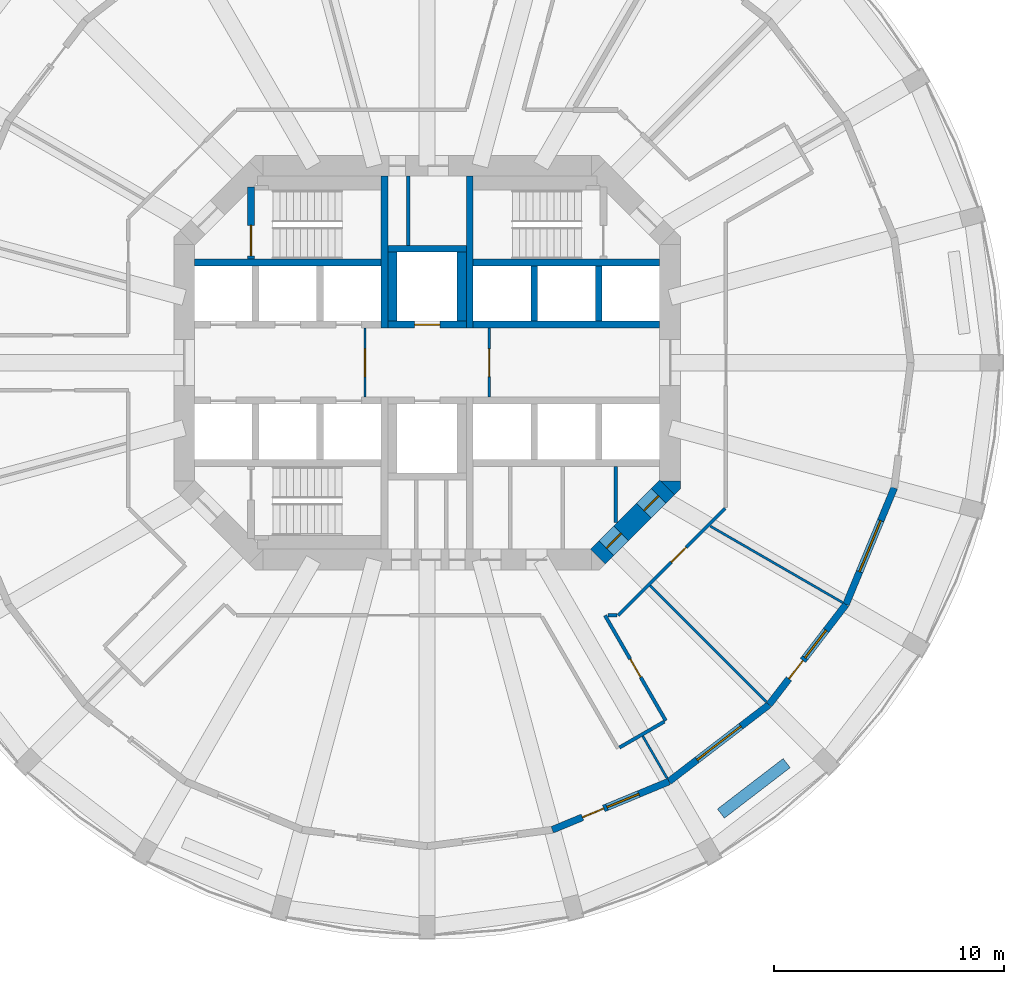
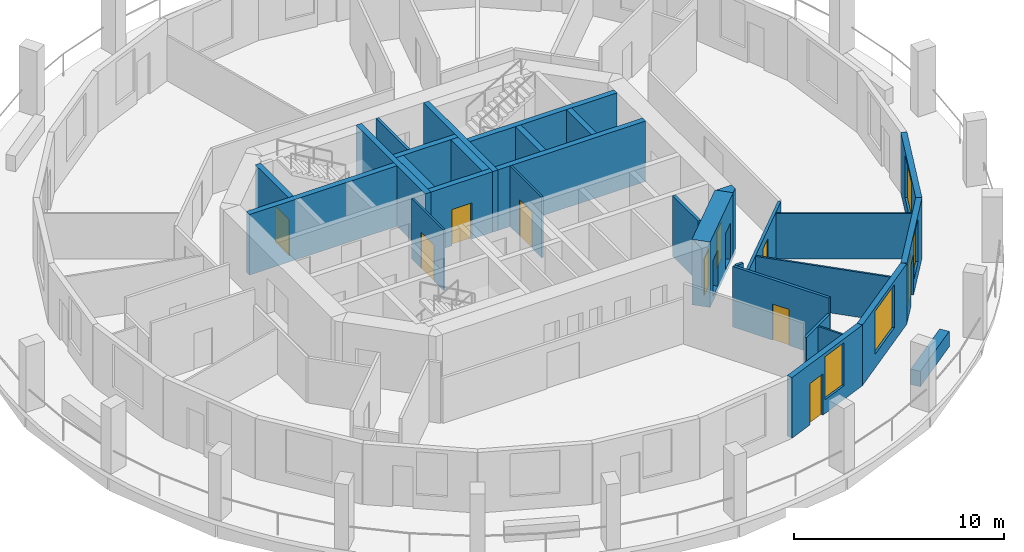
# One storey, part 4 of 8: 30 walls, 10 doors, 4 windows, 14 openings.
"""IFC4 building model written with IfcOpenShell, lengths in metres."""

from ifc_helpers import new_model, si_unit, direction, frame, frame_2d, origin, place, context, subcontext, project, spatial, polyline, rectangle, outline, extrude, material, layer, layer_set, type_object, element, fill, save


model = new_model("IFC4")

# Units and contexts
model_context = context("Model", 3, precision=1e-05, world=origin(), true_north=direction((0.0, 1.0)))
body_context = subcontext(model_context, "Body", "Model", "MODEL_VIEW")
ifc_project = project(units=[si_unit("LENGTHUNIT", "METRE"), si_unit("AREAUNIT", "SQUARE_METRE"), si_unit("VOLUMEUNIT", "CUBIC_METRE"), si_unit("PLANEANGLEUNIT", "RADIAN"), si_unit("MASSUNIT", "GRAM", prefix="KILO")], contexts=[model_context])

# Site, building, storey
site_placement = place(None, origin())
site = spatial("IfcSite", under=ifc_project, at=site_placement, CompositionType="ELEMENT")
building_placement = place(site_placement, origin())
building = spatial("IfcBuilding", under=site, at=building_placement, Name="Torre Triforio", CompositionType="ELEMENT")
storey_placement = place(building_placement, frame((0.0, 0.0, 142.800048828125)))
storey = spatial("IfcBuildingStorey", under=building, at=storey_placement, Name="L32", CompositionType="ELEMENT", Elevation=142.800048828125)

# Walls
ifc_material_1 = material(Name="Concrete C60", Category="concrete")
ifc_layer_1 = layer(ifc_material_1, 0.300048828125)
ifc_layer_set_1 = layer_set([ifc_layer_1], Name="Concrete C60")
wall_type_1 = type_object("IfcWallType", Name="Core wall 300 mm C60 EI 120", PredefinedType="SHEAR", material=ifc_layer_set_1)
for number, where, z_axis, x_axis, name in (
    (1, (-1.85009765625, 1.5, 0.0), (0.0, 0.0, 1.0), (0.0, 1.0, 0.0), "Core wall"),
    (2, (1.85009765625, 1.5, 0.0), (0.0, 0.0, 1.0), (0.0, 1.0, 0.0), "Core wall"),
):
    element("IfcWall", number, at=place(storey_placement, frame(where, z_axis=z_axis, x_axis=x_axis)), inside=storey, type_object=wall_type_1, Name=name, PredefinedType="SHEAR", context=body_context, shape_type="SweptSolid", body=[
        extrude(rectangle(XDim=6.60009765625, YDim=0.300048828125, at=frame_2d((3.300048828125, 0.0))), origin(), (0.0, 0.0, 1.0), 3.52001953125),
    ])

# Wall, openings, doors
ifc_layer_2 = layer(ifc_material_1, 0.89990234375)
ifc_layer_set_2 = layer_set([ifc_layer_2], Name="Concrete C60")
wall_type_2 = type_object("IfcWallType", Name="Core wall 900 mm C60 EI 120", PredefinedType="SHEAR", material=ifc_layer_set_2)
wall_1_placement = place(storey_placement, frame((10.418212890625, -5.418212890625, -0.280029296875), z_axis=(0.0, 0.0, 1.0), x_axis=(-0.707106781187, -0.707106781187, 0.0)))
wall_1 = element("IfcWall", 3, at=wall_1_placement, inside=storey, type_object=wall_type_2, Name="Core wall", PredefinedType="SHEAR", context=body_context, shape_type="SweptSolid", body=[
    extrude(rectangle(XDim=4.24267578125, YDim=0.89990234375, at=frame_2d((2.121337890625, 0.0))), origin(), (0.0, 0.0, 1.0), 3.800048828125),
])
opening_1_placement = place(wall_1_placement, frame((2.82275390625, 0.0, 0.280029296875)))
opening_1 = element("IfcOpeningElement", 4, at=opening_1_placement, cuts=wall_1, Name="Opening SE-03", PredefinedType="OPENING", context=body_context, shape_type="SweptSolid", body=[
    extrude(rectangle(XDim=0.89990234375, YDim=2.10009765625, at=frame_2d((0.449951171875, 1.050048828125))), frame((0.0, 0.4599609375, 0.0), z_axis=(0.0, -1.0, 0.0), x_axis=(1.0, 0.0, 0.0)), (0.0, 0.0, 1.0), 0.919921875),
])
opening_2_placement = place(wall_1_placement, frame((0.52001953125, 0.0, 0.280029296875)))
opening_2 = element("IfcOpeningElement", 5, at=opening_2_placement, cuts=wall_1, Name="Opening SE-04", PredefinedType="OPENING", context=body_context, shape_type="SweptSolid", body=[
    extrude(rectangle(XDim=0.89990234375, YDim=2.10009765625, at=frame_2d((0.449951171875, 1.050048828125))), frame((0.0, 0.4599609375, 0.0), z_axis=(0.0, -1.0, 0.0), x_axis=(1.0, 0.0, 0.0)), (0.0, 0.0, 1.0), 0.919921875),
])
ifc_material_2 = material(Name="Hollow metal fire door leaf")
door_type_1 = type_object("IfcDoorType", Name="Room door 900 x 2100 EI 60", OperationType="NOTDEFINED", PredefinedType="DOOR", material=ifc_material_2)
door_1_placement = place(opening_1_placement, origin())
door_1 = element("IfcDoor", 6, at=door_1_placement, inside=storey, type_object=door_type_1, Name="Core door SE-03", OperationType="SINGLE_SWING_RIGHT", OverallHeight=2.10009765625, OverallWidth=0.89990234375, PredefinedType="DOOR", context=body_context, shape_type="SweptSolid", body=[
    extrude(rectangle(XDim=0.89990234375, YDim=2.10009765625, at=frame_2d((0.449951171875, 1.050048828125))), frame((0.0, 0.02490234375, 0.0), z_axis=(0.0, -1.0, 0.0), x_axis=(1.0, 0.0, 0.0)), (0.0, 0.0, 1.0), 0.050048828125),
])
fill(opening_1, door_1)
door_2_placement = place(opening_2_placement, origin())
door_2 = element("IfcDoor", 7, at=door_2_placement, inside=storey, type_object=door_type_1, Name="Core door SE-04", OperationType="SINGLE_SWING_LEFT", OverallHeight=2.10009765625, OverallWidth=0.89990234375, PredefinedType="DOOR", context=body_context, shape_type="SweptSolid", body=[
    extrude(rectangle(XDim=0.89990234375, YDim=2.10009765625, at=frame_2d((0.449951171875, 1.050048828125))), frame((0.0, 0.02490234375, 0.0), z_axis=(0.0, -1.0, 0.0), x_axis=(1.0, 0.0, 0.0)), (0.0, 0.0, 1.0), 0.050048828125),
])
fill(opening_2, door_2)

# Wall
wall_2_placement = place(storey_placement, frame((0.0, 0.0, -0.280029296875)))
element("IfcWall", 8, at=wall_2_placement, inside=storey, type_object=wall_type_2, Name="Core wall", PredefinedType="SHEAR", context=body_context, shape_type="SweptSolid", body=[
    extrude(outline(polyline([(11.0, -5.472900390625), (10.736328125, -5.736328125), (10.1298828125, -5.1298828125), (11.0, -5.1298828125), (11.0, -5.472900390625)])), origin(), (0.0, 0.0, 1.0), 3.800048828125),
])

# Wall, opening, door
ifc_material_3 = material(Name="Plasterboard on metal studs")
ifc_layer_3 = layer(ifc_material_3, 0.14990234375)
ifc_layer_set_3 = layer_set([ifc_layer_3], Name="Plasterboard on metal studs")
wall_type_3 = type_object("IfcWallType", Name="Corridor and tenancy wall 150 mm EI 60", PredefinedType="PARTITIONING", material=ifc_layer_set_3)
wall_3_placement = place(storey_placement, frame((12.93798828125, -6.327880859375, 0.0), z_axis=(0.0, 0.0, 1.0), x_axis=(-0.707088206597, -0.707125355289, 0.0)))
wall_3 = element("IfcWall", 9, at=wall_3_placement, inside=storey, type_object=wall_type_3, Name="Partition 21", PredefinedType="PARTITIONING", context=body_context, shape_type="SweptSolid", body=[
    extrude(rectangle(XDim=6.572021484375, YDim=0.14990234375, at=frame_2d((3.2861328125, 0.0))), origin(), (0.0, 0.0, 1.0), 2.619873046875),
])
opening_3_placement = place(wall_3_placement, frame((2.39794921875, 0.0, 0.0)))
opening_3 = element("IfcOpeningElement", 10, at=opening_3_placement, cuts=wall_3, Name="Opening D3-08", PredefinedType="OPENING", context=body_context, shape_type="SweptSolid", body=[
    extrude(rectangle(XDim=0.89990234375, YDim=2.10009765625, at=frame_2d((0.449951171875, 1.050048828125))), frame((0.0, 0.0849609375, 0.0), z_axis=(0.0, -1.0, 0.0), x_axis=(1.0, 0.0, 0.0)), (0.0, 0.0, 1.0), 0.169921875),
])
ifc_material_4 = material(Name="Timber", Category="wood")
door_type_2 = type_object("IfcDoorType", Name="Door 900 x 2100 single leaf EI 30", OperationType="NOTDEFINED", PredefinedType="DOOR", material=ifc_material_4)
door_3_placement = place(opening_3_placement, origin())
door_3 = element("IfcDoor", 11, at=door_3_placement, inside=storey, type_object=door_type_2, Name="Door D3-08", OperationType="SINGLE_SWING_LEFT", OverallHeight=2.10009765625, OverallWidth=0.89990234375, PredefinedType="DOOR", context=body_context, shape_type="SweptSolid", body=[
    extrude(rectangle(XDim=0.89990234375, YDim=2.10009765625, at=frame_2d((0.449951171875, 1.050048828125))), frame((0.0, 0.02490234375, 0.0), z_axis=(0.0, -1.0, 0.0), x_axis=(1.0, 0.0, 0.0)), (0.0, 0.0, 1.0), 0.050048828125),
])
fill(opening_3, door_3)

# Wall
wall_4_placement = place(storey_placement, frame((8.23828125, -10.97509765625, 0.0), z_axis=(0.0, 0.0, 1.0), x_axis=(-1.0, 0.0, 0.0)))
element("IfcWall", 12, at=wall_4_placement, inside=storey, type_object=wall_type_3, Name="Partition 22", PredefinedType="PARTITIONING", context=body_context, shape_type="SweptSolid", body=[
    extrude(rectangle(XDim=0.38623046875, YDim=0.14990234375, at=frame_2d((0.193115234375, 0.0))), origin(), (0.0, 0.0, 1.0), 3.52001953125),
])

# Wall, opening, door
wall_5_placement = place(storey_placement, frame((7.72216796875, -10.97509765625, 0.0), z_axis=(0.0, 0.0, 1.0), x_axis=(0.499981143329, -0.866036290415, 0.0)))
wall_5 = element("IfcWall", 13, at=wall_5_placement, inside=storey, type_object=wall_type_3, Name="Partition 23", PredefinedType="PARTITIONING", context=body_context, shape_type="SweptSolid", body=[
    extrude(rectangle(XDim=5.282958984375, YDim=0.14990234375, at=frame_2d((2.6416015625, 0.0))), origin(), (0.0, 0.0, 1.0), 3.52001953125),
])
opening_4_placement = place(wall_5_placement, frame((2.19140625, 0.0, 0.0)))
opening_4 = element("IfcOpeningElement", 14, at=opening_4_placement, cuts=wall_5, Name="Opening D3-07", PredefinedType="OPENING", context=body_context, shape_type="SweptSolid", body=[
    extrude(rectangle(XDim=0.89990234375, YDim=2.10009765625, at=frame_2d((0.449951171875, 1.050048828125))), frame((0.0, 0.0849609375, 0.0), z_axis=(0.0, -1.0, 0.0), x_axis=(1.0, 0.0, 0.0)), (0.0, 0.0, 1.0), 0.169921875),
])
door_4_placement = place(opening_4_placement, origin())
door_4 = element("IfcDoor", 15, at=door_4_placement, inside=storey, type_object=door_type_2, Name="Door D3-07", OperationType="SINGLE_SWING_LEFT", OverallHeight=2.10009765625, OverallWidth=0.89990234375, PredefinedType="DOOR", context=body_context, shape_type="SweptSolid", body=[
    extrude(rectangle(XDim=0.89990234375, YDim=2.10009765625, at=frame_2d((0.449951171875, 1.050048828125))), frame((0.0, 0.02490234375, 0.0), z_axis=(0.0, -1.0, 0.0), x_axis=(1.0, 0.0, 0.0)), (0.0, 0.0, 1.0), 0.050048828125),
])
fill(opening_4, door_4)

# Wall
wall_6_placement = place(storey_placement, frame((10.298583984375, -15.587890625, 0.0), z_axis=(0.0, 0.0, 1.0), x_axis=(-0.866017533419, -0.500013631625, 0.0)))
element("IfcWall", 16, at=wall_6_placement, inside=storey, type_object=wall_type_3, Name="Partition 24", PredefinedType="PARTITIONING", context=body_context, shape_type="SweptSolid", body=[
    extrude(rectangle(XDim=2.25, YDim=0.14990234375, at=frame_2d((1.125, 0.0))), origin(), (0.0, 0.0, 1.0), 2.619873046875),
])

# Wall, opening, door
ifc_material_5 = material(Name="Block and board partition")
ifc_layer_4 = layer(ifc_material_5, 0.10009765625)
ifc_layer_set_4 = layer_set([ifc_layer_4], Name="Block and board partition")
wall_type_4 = type_object("IfcWallType", Name="Partition 100 mm EI 120", PredefinedType="PARTITIONING", material=ifc_layer_set_4)
wall_7_placement = place(storey_placement, frame((-2.699951171875, -1.5, 0.0), z_axis=(0.0, 0.0, 1.0), x_axis=(0.0, 1.0, 0.0)))
wall_7 = element("IfcWall", 17, at=wall_7_placement, inside=storey, type_object=wall_type_4, Name="Partition", PredefinedType="PARTITIONING", context=body_context, shape_type="SweptSolid", body=[
    extrude(rectangle(XDim=3.0, YDim=0.10009765625, at=frame_2d((1.5, 0.0))), origin(), (0.0, 0.0, 1.0), 3.52001953125),
])
opening_5_placement = place(wall_7_placement, frame((0.89990234375, 0.0, 0.0)))
opening_5 = element("IfcOpeningElement", 18, at=opening_5_placement, cuts=wall_7, Name="Opening FF-W", PredefinedType="OPENING", context=body_context, shape_type="SweptSolid", body=[
    extrude(rectangle(XDim=1.199951171875, YDim=2.10009765625, at=frame_2d((0.60009765625, 1.050048828125))), frame((0.0, 0.06005859375, 0.0), z_axis=(0.0, -1.0, 0.0), x_axis=(1.0, 0.0, 0.0)), (0.0, 0.0, 1.0), 0.1201171875),
])
door_type_3 = type_object("IfcDoorType", Name="Fire-fighting lobby door 1200 x 2100 EI 60", OperationType="NOTDEFINED", PredefinedType="DOOR", material=ifc_material_2)
door_5_placement = place(opening_5_placement, origin())
door_5 = element("IfcDoor", 19, at=door_5_placement, inside=storey, type_object=door_type_3, Name="Core door FF-W", OperationType="SINGLE_SWING_LEFT", OverallHeight=2.10009765625, OverallWidth=1.199951171875, PredefinedType="DOOR", context=body_context, shape_type="SweptSolid", body=[
    extrude(rectangle(XDim=1.199951171875, YDim=2.10009765625, at=frame_2d((0.60009765625, 1.050048828125))), frame((0.0, 0.02490234375, 0.0), z_axis=(0.0, -1.0, 0.0), x_axis=(1.0, 0.0, 0.0)), (0.0, 0.0, 1.0), 0.050048828125),
])
fill(opening_5, door_5)

wall_8_placement = place(storey_placement, frame((2.699951171875, -1.5, 0.0), z_axis=(0.0, 0.0, 1.0), x_axis=(0.0, 1.0, 0.0)))
wall_8 = element("IfcWall", 20, at=wall_8_placement, inside=storey, type_object=wall_type_4, Name="Partition", PredefinedType="PARTITIONING", context=body_context, shape_type="SweptSolid", body=[
    extrude(rectangle(XDim=3.0, YDim=0.10009765625, at=frame_2d((1.5, 0.0))), origin(), (0.0, 0.0, 1.0), 3.52001953125),
])
opening_6_placement = place(wall_8_placement, frame((0.89990234375, 0.0, 0.0)))
opening_6 = element("IfcOpeningElement", 21, at=opening_6_placement, cuts=wall_8, Name="Opening FF-E", PredefinedType="OPENING", context=body_context, shape_type="SweptSolid", body=[
    extrude(rectangle(XDim=1.199951171875, YDim=2.10009765625, at=frame_2d((0.60009765625, 1.050048828125))), frame((0.0, 0.06005859375, 0.0), z_axis=(0.0, -1.0, 0.0), x_axis=(1.0, 0.0, 0.0)), (0.0, 0.0, 1.0), 0.1201171875),
])
door_6_placement = place(opening_6_placement, origin())
door_6 = element("IfcDoor", 22, at=door_6_placement, inside=storey, type_object=door_type_3, Name="Core door FF-E", OperationType="SINGLE_SWING_LEFT", OverallHeight=2.10009765625, OverallWidth=1.199951171875, PredefinedType="DOOR", context=body_context, shape_type="SweptSolid", body=[
    extrude(rectangle(XDim=1.199951171875, YDim=2.10009765625, at=frame_2d((0.60009765625, 1.050048828125))), frame((0.0, 0.02490234375, 0.0), z_axis=(0.0, -1.0, 0.0), x_axis=(1.0, 0.0, 0.0)), (0.0, 0.0, 1.0), 0.050048828125),
])
fill(opening_6, door_6)

# Walls
ifc_layer_5 = layer(ifc_material_3, 0.10009765625)
ifc_layer_set_5 = layer_set([ifc_layer_5], Name="Plasterboard on metal studs")
wall_type_5 = type_object("IfcWallType", Name="Partition 100 mm board on metal studs", PredefinedType="PARTITIONING", material=ifc_layer_set_5)
wall_9_placement = place(storey_placement, frame((9.36181640625, -16.215087890625, 0.0), z_axis=(0.0, 0.0, 1.0), x_axis=(0.500015802937, -0.866016279763, 0.0)))
element("IfcWall", 23, at=wall_9_placement, inside=storey, type_object=wall_type_5, Name="Partition 40", PredefinedType="PARTITIONING", context=body_context, shape_type="SweptSolid", body=[
    extrude(rectangle(XDim=2.11328125, YDim=0.10009765625, at=frame_2d((1.056640625, 0.0))), origin(), (0.0, 0.0, 1.0), 2.619873046875),
])
wall_10_placement = place(storey_placement, frame((9.68603515625, -9.68603515625, 0.0), z_axis=(0.0, 0.0, 1.0), x_axis=(0.707106781187, -0.707106781187, 0.0)))
element("IfcWall", 24, at=wall_10_placement, inside=storey, type_object=wall_type_5, Name="Partition 41", PredefinedType="PARTITIONING", context=body_context, shape_type="SweptSolid", body=[
    extrude(rectangle(XDim=7.138671875, YDim=0.10009765625, at=frame_2d((3.5693359375, 0.0))), origin(), (0.0, 0.0, 1.0), 2.619873046875),
])
wall_11_placement = place(storey_placement, frame((12.294189453125, -7.097900390625, 0.0), z_axis=(0.0, 0.0, 1.0), x_axis=(0.866010486135, -0.500025837236, 0.0)))
element("IfcWall", 25, at=wall_11_placement, inside=storey, type_object=wall_type_5, Name="Partition 42", PredefinedType="PARTITIONING", context=body_context, shape_type="SweptSolid", body=[
    extrude(rectangle(XDim=6.640869140625, YDim=0.10009765625, at=frame_2d((3.3203125, 0.0))), origin(), (0.0, 0.0, 1.0), 2.619873046875),
])
ifc_layer_6 = layer(ifc_material_5, 0.14990234375)
ifc_layer_set_6 = layer_set([ifc_layer_6], Name="Block and board partition")
wall_type_6 = type_object("IfcWallType", Name="Partition 150 mm", PredefinedType="PARTITIONING", material=ifc_layer_set_6)
wall_12_placement = place(storey_placement, frame((8.18896484375, -6.93603515625, 0.0), z_axis=(0.0, 0.0, 1.0), x_axis=(0.0, 1.0, 0.0)))
element("IfcWall", 26, at=wall_12_placement, inside=storey, type_object=wall_type_6, Name="Partition", PredefinedType="PARTITIONING", context=body_context, shape_type="SweptSolid", body=[
    extrude(rectangle(XDim=2.43603515625, YDim=0.14990234375, at=frame_2d((1.218017578125, 0.0))), origin(), (0.0, 0.0, 1.0), 3.52001953125),
])
ifc_layer_7 = layer(ifc_material_5, 0.14990234375)
ifc_layer_set_7 = layer_set([ifc_layer_7], Name="Block and board partition")
wall_type_7 = type_object("IfcWallType", Name="Partition 150 mm EI 120", PredefinedType="PARTITIONING", material=ifc_layer_set_7)
wall_13_placement = place(storey_placement, frame((-0.824951171875, 5.10009765625, 0.0), z_axis=(0.0, 0.0, 1.0), x_axis=(0.0, 1.0, 0.0)))
element("IfcWall", 27, at=wall_13_placement, inside=storey, type_object=wall_type_7, Name="Partition", PredefinedType="PARTITIONING", context=body_context, shape_type="SweptSolid", body=[
    extrude(rectangle(XDim=3.0, YDim=0.14990234375, at=frame_2d((1.5, 0.0))), origin(), (0.0, 0.0, 1.0), 3.52001953125),
])
ifc_material_6 = material(Name="Limestone cladding", Category="masonry")
ifc_layer_8 = layer(ifc_material_6, 0.10009765625)
ifc_material_7 = material(Name="Concrete C40", Category="concrete")
ifc_layer_9 = layer(ifc_material_7, 0.39990234375)
ifc_layer_set_8 = layer_set([ifc_layer_8, ifc_layer_9], Name="Limestone cladding / Concrete C40")
wall_type_8 = type_object("IfcWallType", Name="Planter wall 500", PredefinedType="PARAPET", material=ifc_layer_set_8)
wall_14_placement = place(storey_placement, frame((12.756103515625, -19.580810546875, 0.0), z_axis=(0.0, 0.0, 1.0), x_axis=(0.793384730612, 0.608720518162, 0.0)))
element("IfcWall", 28, at=wall_14_placement, inside=storey, type_object=wall_type_8, Name="Planter L32 bay 21", PredefinedType="PARAPET", context=body_context, shape_type="SweptSolid", body=[
    extrude(rectangle(XDim=3.60009765625, YDim=0.5, at=frame_2d((1.800048828125, 0.0))), origin(), (0.0, 0.0, 1.0), 0.89990234375),
])
ifc_layer_10 = layer(ifc_material_1, 0.300048828125)
ifc_layer_set_9 = layer_set([ifc_layer_10], Name="Concrete C60")
wall_type_9 = type_object("IfcWallType", Name="Shaft wall 300 mm C60 EI 120", PredefinedType="SOLIDWALL", material=ifc_layer_set_9)
for number, where, z_axis, x_axis, name in (
    (29, (-10.10009765625, 4.35009765625, 0.0), (0.0, 0.0, 1.0), (1.0, 0.0, 0.0), "Shaft wall"),
    (30, (2.0, 4.35009765625, 0.0), (0.0, 0.0, 1.0), (1.0, 0.0, 0.0), "Shaft wall"),
    (31, (2.0, 1.64990234375, 0.0), (0.0, 0.0, 1.0), (1.0, 0.0, 0.0), "Shaft wall"),
):
    element("IfcWall", number, at=place(storey_placement, frame(where, z_axis=z_axis, x_axis=x_axis)), inside=storey, type_object=wall_type_9, Name=name, PredefinedType="SOLIDWALL", context=body_context, shape_type="SweptSolid", body=[
        extrude(rectangle(XDim=8.10009765625, YDim=0.300048828125, at=frame_2d((4.050048828125, 0.0))), origin(), (0.0, 0.0, 1.0), 3.52001953125),
    ])
for number, where, z_axis, x_axis, name in (
    (32, (4.64990234375, 1.800048828125, 0.0), (0.0, 0.0, 1.0), (0.0, 1.0, 0.0), "Shaft wall"),
    (33, (7.449951171875, 1.800048828125, 0.0), (0.0, 0.0, 1.0), (0.0, 1.0, 0.0), "Shaft wall"),
):
    element("IfcWall", number, at=place(storey_placement, frame(where, z_axis=z_axis, x_axis=x_axis)), inside=storey, type_object=wall_type_9, Name=name, PredefinedType="SOLIDWALL", context=body_context, shape_type="SweptSolid", body=[
        extrude(rectangle(XDim=2.39990234375, YDim=0.300048828125, at=frame_2d((1.199951171875, 0.0))), origin(), (0.0, 0.0, 1.0), 3.52001953125),
    ])

# Wall, opening, door
wall_15_placement = place(storey_placement, frame((-1.699951171875, 1.64990234375, 0.0), z_axis=(0.0, 0.0, 1.0), x_axis=(1.0, 0.0, 0.0)))
wall_15 = element("IfcWall", 34, at=wall_15_placement, inside=storey, type_object=wall_type_9, Name="Shaft wall", PredefinedType="SOLIDWALL", context=body_context, shape_type="SweptSolid", body=[
    extrude(rectangle(XDim=3.39990234375, YDim=0.300048828125, at=frame_2d((1.699951171875, 0.0))), origin(), (0.0, 0.0, 1.0), 3.52001953125),
])
opening_7_placement = place(wall_15_placement, frame((1.14990234375, 0.0, 0.0)))
opening_7 = element("IfcOpeningElement", 35, at=opening_7_placement, cuts=wall_15, Name="Opening LD", PredefinedType="OPENING", context=body_context, shape_type="SweptSolid", body=[
    extrude(rectangle(XDim=1.10009765625, YDim=2.10009765625, at=frame_2d((0.550048828125, 1.050048828125))), frame((0.0, 0.159912109375, 0.0), z_axis=(0.0, -1.0, 0.0), x_axis=(1.0, 0.0, 0.0)), (0.0, 0.0, 1.0), 0.320068359375),
])
door_type_4 = type_object("IfcDoorType", Name="Landing door 1100 x 2100 EI 60", OperationType="DOUBLE_DOOR_SLIDING", PredefinedType="DOOR", material=ifc_material_2)
door_7_placement = place(opening_7_placement, origin())
door_7 = element("IfcDoor", 36, at=door_7_placement, inside=storey, type_object=door_type_4, Name="Landing door FFL1", OperationType="DOUBLE_DOOR_SLIDING", OverallHeight=2.10009765625, OverallWidth=1.10009765625, PredefinedType="DOOR", context=body_context, shape_type="SweptSolid", body=[
    extrude(rectangle(XDim=1.10009765625, YDim=2.10009765625, at=frame_2d((0.550048828125, 1.050048828125))), frame((0.0, 0.02490234375, 0.0), z_axis=(0.0, -1.0, 0.0), x_axis=(1.0, 0.0, 0.0)), (0.0, 0.0, 1.0), 0.050048828125),
])
fill(opening_7, door_7)

# Walls
wall_16_placement = place(storey_placement, frame((-1.699951171875, 4.949951171875, 0.0), z_axis=(0.0, 0.0, 1.0), x_axis=(1.0, 0.0, 0.0)))
element("IfcWall", 37, at=wall_16_placement, inside=storey, type_object=wall_type_9, Name="Shaft wall", PredefinedType="SOLIDWALL", context=body_context, shape_type="SweptSolid", body=[
    extrude(rectangle(XDim=3.39990234375, YDim=0.300048828125, at=frame_2d((1.699951171875, 0.0))), origin(), (0.0, 0.0, 1.0), 3.52001953125),
])
ifc_layer_11 = layer(ifc_material_1, 0.39990234375)
ifc_layer_set_10 = layer_set([ifc_layer_11], Name="Concrete C60")
wall_type_10 = type_object("IfcWallType", Name="Shaft wall 400 mm C60 EI 120", PredefinedType="SOLIDWALL", material=ifc_layer_set_10)
for number, where, z_axis, x_axis, name in (
    (38, (-1.5, 1.800048828125, 0.0), (0.0, 0.0, 1.0), (0.0, 1.0, 0.0), "Shaft wall"),
    (39, (1.5, 1.800048828125, 0.0), (0.0, 0.0, 1.0), (0.0, 1.0, 0.0), "Shaft wall"),
):
    element("IfcWall", number, at=place(storey_placement, frame(where, z_axis=z_axis, x_axis=x_axis)), inside=storey, type_object=wall_type_10, Name=name, PredefinedType="SOLIDWALL", context=body_context, shape_type="SweptSolid", body=[
        extrude(rectangle(XDim=3.0, YDim=0.39990234375, at=frame_2d((1.5, 0.0))), origin(), (0.0, 0.0, 1.0), 3.52001953125),
    ])

# Wall, opening, door
ifc_layer_12 = layer(ifc_material_1, 0.300048828125)
ifc_layer_set_11 = layer_set([ifc_layer_12], Name="Concrete C60")
wall_type_11 = type_object("IfcWallType", Name="Stair wall 300 mm C60 EI 120", PredefinedType="SHEAR", material=ifc_layer_set_11)
wall_17_placement = place(storey_placement, frame((-7.64990234375, 4.5, 0.0), z_axis=(0.0, 0.0, 1.0), x_axis=(0.0, 1.0, 0.0)))
wall_17 = element("IfcWall", 40, at=wall_17_placement, inside=storey, type_object=wall_type_11, Name="Stair wall", PredefinedType="SHEAR", context=body_context, shape_type="SweptSolid", body=[
    extrude(rectangle(XDim=3.139892578125, YDim=0.300048828125, at=frame_2d((1.56982421875, 0.0))), origin(), (0.0, 0.0, 1.0), 3.52001953125),
])
opening_8_placement = place(wall_17_placement, frame((0.139892578125, 0.0, 0.0)))
opening_8 = element("IfcOpeningElement", 41, at=opening_8_placement, cuts=wall_17, Name="Opening ST1-STA", PredefinedType="OPENING", context=body_context, shape_type="SweptSolid", body=[
    extrude(rectangle(XDim=1.320068359375, YDim=2.10009765625, at=frame_2d((0.66015625, 1.050048828125))), frame((0.0, 0.159912109375, 0.0), z_axis=(0.0, -1.0, 0.0), x_axis=(1.0, 0.0, 0.0)), (0.0, 0.0, 1.0), 0.320068359375),
])
door_type_5 = type_object("IfcDoorType", Name="Stair door 1320 x 2100 EI 90", OperationType="DOUBLE_DOOR_SINGLE_SWING", PredefinedType="DOOR", material=ifc_material_2)
door_8_placement = place(opening_8_placement, origin())
door_8 = element("IfcDoor", 42, at=door_8_placement, inside=storey, type_object=door_type_5, Name="Core door ST1-ST", OperationType="DOUBLE_DOOR_SINGLE_SWING", OverallHeight=2.10009765625, OverallWidth=1.320068359375, PredefinedType="DOOR", context=body_context, shape_type="SweptSolid", body=[
    extrude(rectangle(XDim=1.320068359375, YDim=2.10009765625, at=frame_2d((0.66015625, 1.050048828125))), frame((0.0, 0.02490234375, 0.0), z_axis=(0.0, -1.0, 0.0), x_axis=(1.0, 0.0, 0.0)), (0.0, 0.0, 1.0), 0.050048828125),
])
fill(opening_8, door_8)

# Wall, openings, door, window
ifc_layer_13 = layer(ifc_material_6, 0.10009765625)
ifc_layer_14 = layer(ifc_material_7, 0.199951171875)
ifc_layer_set_12 = layer_set([ifc_layer_13, ifc_layer_14], Name="Limestone cladding / Concrete C40")
wall_type_12 = type_object("IfcWallType", Name="Stone-faced composite wall 300", PredefinedType="STANDARD", material=ifc_layer_set_12)
wall_18_placement = place(storey_placement, frame((5.435302734375, -20.284423828125, 0.0), z_axis=(0.0, 0.0, 1.0), x_axis=(0.923877333662, 0.382688740813, 0.0)))
wall_18 = element("IfcWall", 43, at=wall_18_placement, inside=storey, type_object=wall_type_12, Name="External wall L32 bay 20", PredefinedType="STANDARD", context=body_context, shape_type="SweptSolid", body=[
    extrude(rectangle(XDim=5.48193359375, YDim=0.300048828125, at=frame_2d((2.740966796875, 0.0))), origin(), (0.0, 0.0, 1.0), 3.52001953125),
])
opening_9_placement = place(wall_18_placement, frame((1.416015625, 0.0, 0.0)))
opening_9 = element("IfcOpeningElement", 44, at=opening_9_placement, cuts=wall_18, Name="Opening D3-D20", PredefinedType="OPENING", context=body_context, shape_type="SweptSolid", body=[
    extrude(rectangle(XDim=1.0, YDim=2.39990234375, at=frame_2d((0.5, 1.199951171875))), frame((0.0, 0.159912109375, 0.0), z_axis=(0.0, -1.0, 0.0), x_axis=(1.0, 0.0, 0.0)), (0.0, 0.0, 1.0), 0.320068359375),
])
opening_10_placement = place(wall_18_placement, frame((2.566162109375, 0.0, 0.800048828125)))
opening_10 = element("IfcOpeningElement", 45, at=opening_10_placement, cuts=wall_18, Name="Opening D3-W20A", PredefinedType="OPENING", context=body_context, shape_type="SweptSolid", body=[
    extrude(rectangle(XDim=1.5, YDim=2.5, at=frame_2d((0.75, 1.25))), frame((0.0, 0.159912109375, 0.0), z_axis=(0.0, -1.0, 0.0), x_axis=(1.0, 0.0, 0.0)), (0.0, 0.0, 1.0), 0.320068359375),
])
ifc_material_8 = material(Name="Aluminium frame with clear double glazing", Category="aluminium")
door_type_6 = type_object("IfcDoorType", Name="Loggia door 1000 x 2400", OperationType="NOTDEFINED", PredefinedType="DOOR", material=ifc_material_8)
door_9_placement = place(opening_9_placement, origin())
door_9 = element("IfcDoor", 46, at=door_9_placement, inside=storey, type_object=door_type_6, Name="Loggia door L32 bay 20", OperationType="SINGLE_SWING_LEFT", OverallHeight=2.39990234375, OverallWidth=1.0, PredefinedType="DOOR", context=body_context, shape_type="SweptSolid", body=[
    extrude(rectangle(XDim=1.0, YDim=2.39990234375, at=frame_2d((0.5, 1.199951171875))), frame((0.0, 0.02490234375, 0.0), z_axis=(0.0, -1.0, 0.0), x_axis=(1.0, 0.0, 0.0)), (0.0, 0.0, 1.0), 0.050048828125),
])
fill(opening_9, door_9)
window_type_1 = type_object("IfcWindowType", Name="Side window 1500 x 2500", PartitioningType="SINGLE_PANEL", PredefinedType="WINDOW", material=ifc_material_8)
window_1_placement = place(opening_10_placement, origin())
window_1 = element("IfcWindow", 47, at=window_1_placement, inside=storey, type_object=window_type_1, Name="Side window EWN13 L32 bay 20", OverallHeight=2.5, OverallWidth=1.5, PartitioningType="SINGLE_PANEL", PredefinedType="WINDOW", context=body_context, shape_type="SweptSolid", body=[
    extrude(rectangle(XDim=1.5, YDim=2.5, at=frame_2d((0.75, 1.25))), frame((0.0, 0.030029296875, 0.0), z_axis=(0.0, -1.0, 0.0), x_axis=(1.0, 0.0, 0.0)), (0.0, 0.0, 1.0), 0.06005859375),
])
fill(opening_10, window_1)

# Wall, opening, window
wall_19_placement = place(storey_placement, frame((10.5, -18.1865234375, 0.0), z_axis=(0.0, 0.0, 1.0), x_axis=(0.793335336593, 0.608784891166, 0.0)))
wall_19 = element("IfcWall", 48, at=wall_19_placement, inside=storey, type_object=wall_type_12, Name="External wall L32 bay 21", PredefinedType="STANDARD", context=body_context, shape_type="SweptSolid", body=[
    extrude(rectangle(XDim=5.482177734375, YDim=0.300048828125, at=frame_2d((2.7412109375, 0.0))), origin(), (0.0, 0.0, 1.0), 3.52001953125),
])
opening_11_placement = place(wall_19_placement, frame((1.541015625, 0.0, 0.800048828125)))
opening_11 = element("IfcOpeningElement", 49, at=opening_11_placement, cuts=wall_19, Name="Opening D3-W21", PredefinedType="OPENING", context=body_context, shape_type="SweptSolid", body=[
    extrude(rectangle(XDim=2.39990234375, YDim=2.5, at=frame_2d((1.199951171875, 1.25))), frame((0.0, 0.159912109375, 0.0), z_axis=(0.0, -1.0, 0.0), x_axis=(1.0, 0.0, 0.0)), (0.0, 0.0, 1.0), 0.320068359375),
])
window_type_2 = type_object("IfcWindowType", Name="Punched window 2400 x 2500", PartitioningType="DOUBLE_PANEL_VERTICAL", PredefinedType="WINDOW", material=ifc_material_8)
window_2_placement = place(opening_11_placement, origin())
window_2 = element("IfcWindow", 50, at=window_2_placement, inside=storey, type_object=window_type_2, Name="Window EWN3 L32 bay 21", OverallHeight=2.5, OverallWidth=2.39990234375, PartitioningType="SINGLE_PANEL", PredefinedType="WINDOW", context=body_context, shape_type="SweptSolid", body=[
    extrude(rectangle(XDim=2.39990234375, YDim=2.5, at=frame_2d((1.199951171875, 1.25))), frame((0.0, 0.030029296875, 0.0), z_axis=(0.0, -1.0, 0.0), x_axis=(1.0, 0.0, 0.0)), (0.0, 0.0, 1.0), 0.06005859375),
])
fill(opening_11, window_2)

# Wall, openings, door, window
wall_20_placement = place(storey_placement, frame((14.84912109375, -14.84912109375, 0.0), z_axis=(0.0, 0.0, 1.0), x_axis=(0.608784891166, 0.793335336593, 0.0)))
wall_20 = element("IfcWall", 51, at=wall_20_placement, inside=storey, type_object=wall_type_12, Name="External wall L32 bay 22", PredefinedType="STANDARD", context=body_context, shape_type="SweptSolid", body=[
    extrude(rectangle(XDim=5.482177734375, YDim=0.300048828125, at=frame_2d((2.7412109375, 0.0))), origin(), (0.0, 0.0, 1.0), 3.52001953125),
])
opening_12_placement = place(wall_20_placement, frame((1.416015625, 0.0, 0.0)))
opening_12 = element("IfcOpeningElement", 52, at=opening_12_placement, cuts=wall_20, Name="Opening D3-D22", PredefinedType="OPENING", context=body_context, shape_type="SweptSolid", body=[
    extrude(rectangle(XDim=1.0, YDim=2.39990234375, at=frame_2d((0.5, 1.199951171875))), frame((0.0, 0.159912109375, 0.0), z_axis=(0.0, -1.0, 0.0), x_axis=(1.0, 0.0, 0.0)), (0.0, 0.0, 1.0), 0.320068359375),
])
opening_13_placement = place(wall_20_placement, frame((2.56591796875, 0.0, 0.800048828125)))
opening_13 = element("IfcOpeningElement", 53, at=opening_13_placement, cuts=wall_20, Name="Opening D3-W22A", PredefinedType="OPENING", context=body_context, shape_type="SweptSolid", body=[
    extrude(rectangle(XDim=1.5, YDim=2.5, at=frame_2d((0.75, 1.25))), frame((0.0, 0.159912109375, 0.0), z_axis=(0.0, -1.0, 0.0), x_axis=(1.0, 0.0, 0.0)), (0.0, 0.0, 1.0), 0.320068359375),
])
door_10_placement = place(opening_12_placement, origin())
door_10 = element("IfcDoor", 54, at=door_10_placement, inside=storey, type_object=door_type_6, Name="Loggia door L32 bay 22", OperationType="SINGLE_SWING_LEFT", OverallHeight=2.39990234375, OverallWidth=1.0, PredefinedType="DOOR", context=body_context, shape_type="SweptSolid", body=[
    extrude(rectangle(XDim=1.0, YDim=2.39990234375, at=frame_2d((0.5, 1.199951171875))), frame((0.0, 0.02490234375, 0.0), z_axis=(0.0, -1.0, 0.0), x_axis=(1.0, 0.0, 0.0)), (0.0, 0.0, 1.0), 0.050048828125),
])
fill(opening_12, door_10)
window_3_placement = place(opening_13_placement, origin())
window_3 = element("IfcWindow", 55, at=window_3_placement, inside=storey, type_object=window_type_1, Name="Side window EWN13 L32 bay 22", OverallHeight=2.5, OverallWidth=1.5, PartitioningType="SINGLE_PANEL", PredefinedType="WINDOW", context=body_context, shape_type="SweptSolid", body=[
    extrude(rectangle(XDim=1.5, YDim=2.5, at=frame_2d((0.75, 1.25))), frame((0.0, 0.030029296875, 0.0), z_axis=(0.0, -1.0, 0.0), x_axis=(1.0, 0.0, 0.0)), (0.0, 0.0, 1.0), 0.06005859375),
])
fill(opening_13, window_3)

# Wall, opening, window
wall_21_placement = place(storey_placement, frame((18.1865234375, -10.5, 0.0), z_axis=(0.0, 0.0, 1.0), x_axis=(0.382688740813, 0.923877333662, 0.0)))
wall_21 = element("IfcWall", 56, at=wall_21_placement, inside=storey, type_object=wall_type_12, Name="External wall L32 bay 23", PredefinedType="STANDARD", context=body_context, shape_type="SweptSolid", body=[
    extrude(rectangle(XDim=5.48193359375, YDim=0.300048828125, at=frame_2d((2.740966796875, 0.0))), origin(), (0.0, 0.0, 1.0), 3.52001953125),
])
opening_14_placement = place(wall_21_placement, frame((1.541015625, 0.0, 0.800048828125)))
opening_14 = element("IfcOpeningElement", 57, at=opening_14_placement, cuts=wall_21, Name="Opening D3-W23", PredefinedType="OPENING", context=body_context, shape_type="SweptSolid", body=[
    extrude(rectangle(XDim=2.39990234375, YDim=2.5, at=frame_2d((1.199951171875, 1.25))), frame((0.0, 0.159912109375, 0.0), z_axis=(0.0, -1.0, 0.0), x_axis=(1.0, 0.0, 0.0)), (0.0, 0.0, 1.0), 0.320068359375),
])
window_4_placement = place(opening_14_placement, origin())
window_4 = element("IfcWindow", 58, at=window_4_placement, inside=storey, type_object=window_type_2, Name="Window EWN3 L32 bay 23", OverallHeight=2.5, OverallWidth=2.39990234375, PartitioningType="SINGLE_PANEL", PredefinedType="WINDOW", context=body_context, shape_type="SweptSolid", body=[
    extrude(rectangle(XDim=2.39990234375, YDim=2.5, at=frame_2d((1.199951171875, 1.25))), frame((0.0, 0.030029296875, 0.0), z_axis=(0.0, -1.0, 0.0), x_axis=(1.0, 0.0, 0.0)), (0.0, 0.0, 1.0), 0.06005859375),
])
fill(opening_14, window_4)

save(model, "model.ifc")
